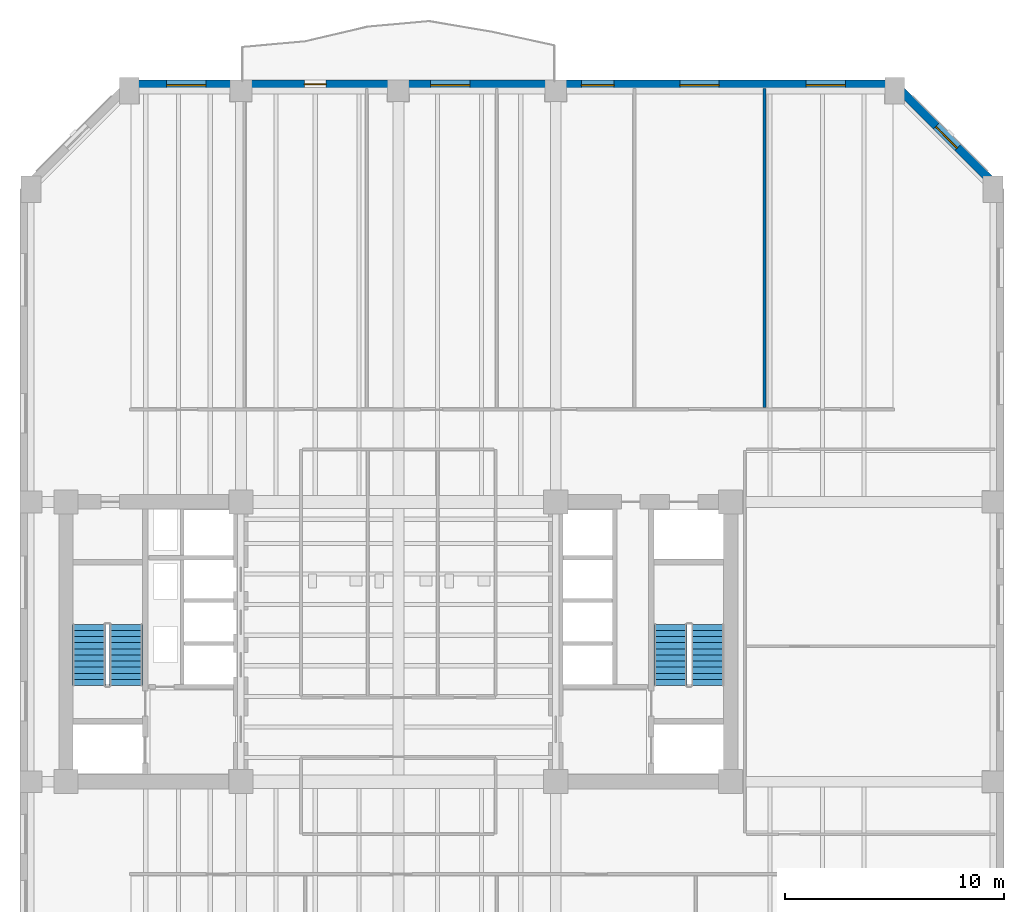
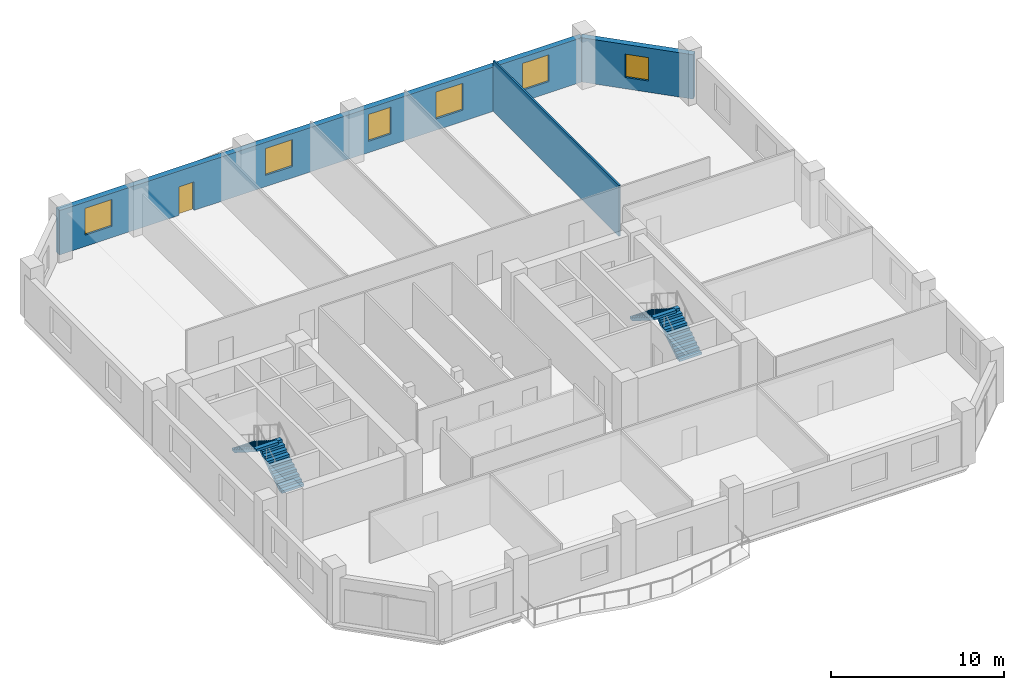
# One storey, part 5 of 9: 6 windows, 4 stair flights, 3 walls, 1 door, 7 openings, 2 elements without a shape of their own.
"""IFC4 building model written with IfcOpenShell, lengths in metres."""

from ifc_helpers import new_model, si_unit, direction, frame, frame_2d, origin, place, context, subcontext, project, spatial, polyline, rectangle, outline, extrude, material, layer, layer_set, type_object, element, fill, aggregate, save


model = new_model("IFC4")

# Units and contexts
model_context = context("Model", 3, precision=1e-05, world=origin(), true_north=direction((0.0, 1.0)))
body_context = subcontext(model_context, "Body", "Model", "MODEL_VIEW")
ifc_project = project(units=[si_unit("LENGTHUNIT", "METRE"), si_unit("AREAUNIT", "SQUARE_METRE"), si_unit("VOLUMEUNIT", "CUBIC_METRE"), si_unit("PLANEANGLEUNIT", "RADIAN"), si_unit("MASSUNIT", "GRAM", prefix="KILO")], contexts=[model_context])

# Site, building, storey
site_placement = place(None, origin())
site = spatial("IfcSite", under=ifc_project, at=site_placement, CompositionType="ELEMENT")
building_placement = place(site_placement, origin())
building = spatial("IfcBuilding", under=site, at=building_placement, Name="Kranthara Brick Stack", CompositionType="ELEMENT")
storey_placement = place(building_placement, frame((0.0, 0.0, 86.699951171875)))
storey = spatial("IfcBuildingStorey", under=building, at=storey_placement, Name="L21", CompositionType="ELEMENT", Elevation=86.699951171875)

# Wall, openings, door, windows
ifc_material_1 = material(Name="Kiln-fired clay brick masonry M15", Category="masonry")
ifc_layer_1 = layer(ifc_material_1, 0.3798828125)
ifc_layer_set_1 = layer_set([ifc_layer_1], Name="Kiln-fired clay brick masonry M15")
wall_type_1 = type_object("IfcWallType", Name="WL-BRK-PIER-380", PredefinedType="STANDARD", material=ifc_layer_set_1)
wall_1_placement = place(storey_placement, frame((15.699951171875, 52.68994140625, 0.0), z_axis=(0.0, 0.0, 1.0), x_axis=(1.0, 0.0, 0.0)))
wall_1 = element("IfcWall", 1, at=wall_1_placement, inside=storey, type_object=wall_type_1, Name="L21 Exterior Brick Facade Wall NORTH 1", PredefinedType="STANDARD", context=body_context, shape_type="SweptSolid", body=[
    extrude(rectangle(XDim=35.0, YDim=0.3798828125, at=frame_2d((17.5, 0.0))), origin(), (0.0, 0.0, 1.0), 3.135009765625),
])
opening_1_placement = place(wall_1_placement, frame((8.0, 0.0, 0.0)))
opening_1 = element("IfcOpeningElement", 2, at=opening_1_placement, cuts=wall_1, Name="Opening D03", PredefinedType="OPENING", context=body_context, shape_type="SweptSolid", body=[
    extrude(rectangle(XDim=1.0, YDim=2.02001953125, at=frame_2d((0.5, 1.010009765625))), frame((0.0, 0.199951171875, 0.0), z_axis=(0.0, -1.0, 0.0), x_axis=(1.0, 0.0, 0.0)), (0.0, 0.0, 1.0), 0.39990234375),
])
opening_2_placement = place(wall_1_placement, frame((1.699951171875, 0.0, 0.800048828125)))
opening_2 = element("IfcOpeningElement", 3, at=opening_2_placement, cuts=wall_1, Name="Opening WN01", PredefinedType="OPENING", context=body_context, shape_type="SweptSolid", body=[
    extrude(rectangle(XDim=1.800048828125, YDim=1.89990234375, at=frame_2d((0.89990234375, 0.949951171875))), frame((0.0, 0.199951171875, 0.0), z_axis=(0.0, -1.0, 0.0), x_axis=(1.0, 0.0, 0.0)), (0.0, 0.0, 1.0), 0.39990234375),
])
opening_3_placement = place(wall_1_placement, frame((13.77490234375, 0.0, 0.800048828125)))
opening_3 = element("IfcOpeningElement", 4, at=opening_3_placement, cuts=wall_1, Name="Opening WN01", PredefinedType="OPENING", context=body_context, shape_type="SweptSolid", body=[
    extrude(rectangle(XDim=1.800048828125, YDim=1.89990234375, at=frame_2d((0.89990234375, 0.949951171875))), frame((0.0, 0.199951171875, 0.0), z_axis=(0.0, -1.0, 0.0), x_axis=(1.0, 0.0, 0.0)), (0.0, 0.0, 1.0), 0.39990234375),
])
opening_4_placement = place(wall_1_placement, frame((20.675048828125, 0.0, 0.800048828125)))
opening_4 = element("IfcOpeningElement", 5, at=opening_4_placement, cuts=wall_1, Name="Opening WN03", PredefinedType="OPENING", context=body_context, shape_type="SweptSolid", body=[
    extrude(rectangle(XDim=1.5, YDim=1.89990234375, at=frame_2d((0.75, 0.949951171875))), frame((0.0, 0.199951171875, 0.0), z_axis=(0.0, -1.0, 0.0), x_axis=(1.0, 0.0, 0.0)), (0.0, 0.0, 1.0), 0.39990234375),
])
opening_5_placement = place(wall_1_placement, frame((25.175048828125, 0.0, 0.800048828125)))
opening_5 = element("IfcOpeningElement", 6, at=opening_5_placement, cuts=wall_1, Name="Opening WN01", PredefinedType="OPENING", context=body_context, shape_type="SweptSolid", body=[
    extrude(rectangle(XDim=1.800048828125, YDim=1.89990234375, at=frame_2d((0.89990234375, 0.949951171875))), frame((0.0, 0.199951171875, 0.0), z_axis=(0.0, -1.0, 0.0), x_axis=(1.0, 0.0, 0.0)), (0.0, 0.0, 1.0), 0.39990234375),
])
opening_6_placement = place(wall_1_placement, frame((30.949951171875, 0.0, 0.800048828125)))
opening_6 = element("IfcOpeningElement", 7, at=opening_6_placement, cuts=wall_1, Name="Opening WN01", PredefinedType="OPENING", context=body_context, shape_type="SweptSolid", body=[
    extrude(rectangle(XDim=1.800048828125, YDim=1.89990234375, at=frame_2d((0.89990234375, 0.949951171875))), frame((0.0, 0.199951171875, 0.0), z_axis=(0.0, -1.0, 0.0), x_axis=(1.0, 0.0, 0.0)), (0.0, 0.0, 1.0), 0.39990234375),
])
ifc_material_2 = material(Name="Bronze anodised aluminium and laminated glass", Category="aluminium")
door_type = type_object("IfcDoorType", Name="DR-BALC-1000", OperationType="NOTDEFINED", PredefinedType="DOOR", material=ifc_material_2)
door_placement = place(opening_1_placement, origin())
door = element("IfcDoor", 8, at=door_placement, inside=storey, type_object=door_type, Name="L21 North Balcony Terrace Door", OperationType="SINGLE_SWING_RIGHT", OverallHeight=2.02001953125, OverallWidth=1.0, PredefinedType="DOOR", context=body_context, shape_type="SweptSolid", body=[
    extrude(rectangle(XDim=1.0, YDim=2.02001953125, at=frame_2d((0.5, 1.010009765625))), frame((0.0, 0.02490234375, 0.0), z_axis=(0.0, -1.0, 0.0), x_axis=(1.0, 0.0, 0.0)), (0.0, 0.0, 1.0), 0.050048828125),
])
fill(opening_1, door)
ifc_material_3 = material(Name="Double-glazed low-E solar control glass", Category="glass")
window_type_1 = type_object("IfcWindowType", Name="WN-OFF-1500x2000", PartitioningType="SINGLE_PANEL", PredefinedType="WINDOW", material=ifc_material_3)
window_1_placement = place(opening_4_placement, origin())
window_1 = element("IfcWindow", 9, at=window_1_placement, inside=storey, type_object=window_type_1, Name="L21 North Deep-Set Brick Window 03", OverallHeight=1.89990234375, OverallWidth=1.5, PartitioningType="SINGLE_PANEL", PredefinedType="WINDOW", context=body_context, shape_type="SweptSolid", body=[
    extrude(rectangle(XDim=1.5, YDim=1.89990234375, at=frame_2d((0.75, 0.949951171875))), frame((0.0, -0.010009765625, 0.0), z_axis=(0.0, -1.0, 0.0), x_axis=(1.0, 0.0, 0.0)), (0.0, 0.0, 1.0), 0.06005859375),
])
fill(opening_4, window_1)
ifc_material_4 = material(Name="Double-glazed low-E solar control glass", Category="glass")
window_type_2 = type_object("IfcWindowType", Name="WN-OFF-1800x2000", PartitioningType="SINGLE_PANEL", PredefinedType="WINDOW", material=ifc_material_4)
window_2_placement = place(opening_2_placement, origin())
window_2 = element("IfcWindow", 10, at=window_2_placement, inside=storey, type_object=window_type_2, Name="L21 North Deep-Set Brick Window 01", OverallHeight=1.89990234375, OverallWidth=1.800048828125, PartitioningType="SINGLE_PANEL", PredefinedType="WINDOW", context=body_context, shape_type="SweptSolid", body=[
    extrude(rectangle(XDim=1.800048828125, YDim=1.89990234375, at=frame_2d((0.89990234375, 0.949951171875))), frame((0.0, -0.010009765625, 0.0), z_axis=(0.0, -1.0, 0.0), x_axis=(1.0, 0.0, 0.0)), (0.0, 0.0, 1.0), 0.06005859375),
])
fill(opening_2, window_2)
window_3_placement = place(opening_3_placement, origin())
window_3 = element("IfcWindow", 11, at=window_3_placement, inside=storey, type_object=window_type_2, Name="L21 North Deep-Set Brick Window 02", OverallHeight=1.89990234375, OverallWidth=1.800048828125, PartitioningType="SINGLE_PANEL", PredefinedType="WINDOW", context=body_context, shape_type="SweptSolid", body=[
    extrude(rectangle(XDim=1.800048828125, YDim=1.89990234375, at=frame_2d((0.89990234375, 0.949951171875))), frame((0.0, -0.010009765625, 0.0), z_axis=(0.0, -1.0, 0.0), x_axis=(1.0, 0.0, 0.0)), (0.0, 0.0, 1.0), 0.06005859375),
])
fill(opening_3, window_3)
window_4_placement = place(opening_5_placement, origin())
window_4 = element("IfcWindow", 12, at=window_4_placement, inside=storey, type_object=window_type_2, Name="L21 North Deep-Set Brick Window 04", OverallHeight=1.89990234375, OverallWidth=1.800048828125, PartitioningType="SINGLE_PANEL", PredefinedType="WINDOW", context=body_context, shape_type="SweptSolid", body=[
    extrude(rectangle(XDim=1.800048828125, YDim=1.89990234375, at=frame_2d((0.89990234375, 0.949951171875))), frame((0.0, -0.010009765625, 0.0), z_axis=(0.0, -1.0, 0.0), x_axis=(1.0, 0.0, 0.0)), (0.0, 0.0, 1.0), 0.06005859375),
])
fill(opening_5, window_4)
window_5_placement = place(opening_6_placement, origin())
window_5 = element("IfcWindow", 13, at=window_5_placement, inside=storey, type_object=window_type_2, Name="L21 North Deep-Set Brick Window 05", OverallHeight=1.89990234375, OverallWidth=1.800048828125, PartitioningType="SINGLE_PANEL", PredefinedType="WINDOW", context=body_context, shape_type="SweptSolid", body=[
    extrude(rectangle(XDim=1.800048828125, YDim=1.89990234375, at=frame_2d((0.89990234375, 0.949951171875))), frame((0.0, -0.010009765625, 0.0), z_axis=(0.0, -1.0, 0.0), x_axis=(1.0, 0.0, 0.0)), (0.0, 0.0, 1.0), 0.06005859375),
])
fill(opening_6, window_5)

# Wall, opening, window
wall_2_placement = place(storey_placement, frame((50.699951171875, 52.68994140625, 0.0), z_axis=(0.0, 0.0, 1.0), x_axis=(0.707106781187, -0.707106781187, 0.0)))
wall_2 = element("IfcWall", 14, at=wall_2_placement, inside=storey, type_object=wall_type_1, Name="L21 Exterior Brick Facade Wall NE 1", PredefinedType="STANDARD", context=body_context, shape_type="SweptSolid", body=[
    extrude(rectangle(XDim=6.774169921875, YDim=0.3798828125, at=frame_2d((3.38720703125, 0.0))), origin(), (0.0, 0.0, 1.0), 3.135009765625),
])
opening_7_placement = place(wall_2_placement, frame((2.68701171875, 0.0, 0.800048828125)))
opening_7 = element("IfcOpeningElement", 15, at=opening_7_placement, cuts=wall_2, Name="Opening WN10", PredefinedType="OPENING", context=body_context, shape_type="SweptSolid", body=[
    extrude(rectangle(XDim=1.39990234375, YDim=1.64990234375, at=frame_2d((0.699951171875, 0.824951171875))), frame((0.0, 0.199951171875, 0.0), z_axis=(0.0, -1.0, 0.0), x_axis=(1.0, 0.0, 0.0)), (0.0, 0.0, 1.0), 0.39990234375),
])
ifc_material_5 = material(Name="Double-glazed low-E solar control glass", Category="glass")
window_type_3 = type_object("IfcWindowType", Name="WN-CHM-1400x1750", PartitioningType="SINGLE_PANEL", PredefinedType="WINDOW", material=ifc_material_5)
window_6_placement = place(opening_7_placement, origin())
window_6 = element("IfcWindow", 16, at=window_6_placement, inside=storey, type_object=window_type_3, Name="L21 NE Chamfer Corner Window", OverallHeight=1.64990234375, OverallWidth=1.39990234375, PartitioningType="SINGLE_PANEL", PredefinedType="WINDOW", context=body_context, shape_type="SweptSolid", body=[
    extrude(rectangle(XDim=1.39990234375, YDim=1.64990234375, at=frame_2d((0.699951171875, 0.824951171875))), frame((0.0, -0.010009765625, 0.0), z_axis=(0.0, -1.0, 0.0), x_axis=(1.0, 0.0, 0.0)), (0.0, 0.0, 1.0), 0.06005859375),
])
fill(opening_7, window_6)

# Wall
ifc_material_6 = material(Name="Acoustic gypsum plasterboard partition", Category="other")
ifc_layer_2 = layer(ifc_material_6, 0.1201171875)
ifc_layer_set_2 = layer_set([ifc_layer_2], Name="Acoustic gypsum plasterboard partition")
wall_type_2 = type_object("IfcWallType", Name="WL-PART-120", PredefinedType="PARTITIONING", material=ifc_layer_set_2)
wall_3_placement = place(storey_placement, frame((44.75, 37.919921875, 0.0), z_axis=(0.0, 0.0, 1.0), x_axis=(0.0, 1.0, 0.0)))
element("IfcWall", 17, at=wall_3_placement, inside=storey, type_object=wall_type_2, Name="L21 Interior Partition 020", PredefinedType="PARTITIONING", context=body_context, shape_type="SweptSolid", body=[
    extrude(rectangle(XDim=14.5751953125, YDim=0.1201171875, at=frame_2d((7.28759765625, 0.0))), origin(), (0.0, 0.0, 1.0), 3.60009765625),
])

# Stair, stair flights
ifc_material_7 = material(Name="Concrete C45/55", Category="concrete")
stair_type = type_object("IfcStairType", Name="ST-CORE-22R", PredefinedType="HALF_TURN_STAIR", material=ifc_material_7)
stair_1_placement = place(storey_placement, origin())
stair_1 = element("IfcStair", 18, at=stair_1_placement, inside=storey, type_object=stair_type, Name="L21 West Core Protected Exit Stair ST01", PredefinedType="HALF_TURN_STAIR")
ifc_material_8 = material(Name="Concrete C45/55", Category="concrete")
stair_flight_type = type_object("IfcStairFlightType", Name="SFL-RC-22R", PredefinedType="STRAIGHT", material=ifc_material_8)
stair_flight_1_placement = place(storey_placement, frame((15.550048828125, 25.199951171875, 0.0), z_axis=(0.0, 0.0, 1.0), x_axis=(0.0, 1.0, 0.0)))
stair_flight_1 = element("IfcStairFlight", 19, at=stair_flight_1_placement, type_object=stair_flight_type, Name="ST01 flight 1", NumberOfRisers=11, NumberOfTreads=10, PredefinedType="STRAIGHT", RiserHeight=0.177272727, TreadLength=0.28, context=body_context, shape_type="SweptSolid", body=[
    extrude(outline(polyline([(0.0, 0.0), (0.0, 0.17724609375), (0.280029296875, 0.17724609375), (0.280029296875, 0.3544921875), (0.56005859375, 0.3544921875), (0.56005859375, 0.53173828125), (0.840087890625, 0.53173828125), (0.840087890625, 0.708984375), (1.1201171875, 0.708984375), (1.1201171875, 0.886474609375), (1.39990234375, 0.886474609375), (1.39990234375, 1.063720703125), (1.679931640625, 1.063720703125), (1.679931640625, 1.240966796875), (1.9599609375, 1.240966796875), (1.9599609375, 1.418212890625), (2.239990234375, 1.418212890625), (2.239990234375, 1.595458984375), (2.52001953125, 1.595458984375), (2.52001953125, 1.772705078125), (2.800048828125, 1.772705078125), (2.800048828125, 1.949951171875), (2.800048828125, 1.59521484375), (0.2802734375, 0.0), (0.0, 0.0)])), frame((0.0, 0.75, 0.0), z_axis=(0.0, -1.0, 0.0), x_axis=(1.0, 0.0, 0.0)), (0.0, 0.0, 1.0), 1.5),
])
stair_flight_2_placement = place(storey_placement, frame((13.85009765625, 28.0, 1.949951171875), z_axis=(0.0, 0.0, 1.0), x_axis=(0.0, -1.0, 0.0)))
stair_flight_2 = element("IfcStairFlight", 20, at=stair_flight_2_placement, type_object=stair_flight_type, Name="ST01 flight 2", NumberOfRisers=11, NumberOfTreads=10, PredefinedType="STRAIGHT", RiserHeight=0.177272727, TreadLength=0.28, context=body_context, shape_type="SweptSolid", body=[
    extrude(outline(polyline([(0.0, 0.0), (0.0, 0.17724609375), (0.280029296875, 0.17724609375), (0.280029296875, 0.3544921875), (0.56005859375, 0.3544921875), (0.56005859375, 0.53173828125), (0.840087890625, 0.53173828125), (0.840087890625, 0.708984375), (1.1201171875, 0.708984375), (1.1201171875, 0.886474609375), (1.39990234375, 0.886474609375), (1.39990234375, 1.063720703125), (1.679931640625, 1.063720703125), (1.679931640625, 1.240966796875), (1.9599609375, 1.240966796875), (1.9599609375, 1.418212890625), (2.239990234375, 1.418212890625), (2.239990234375, 1.595458984375), (2.52001953125, 1.595458984375), (2.52001953125, 1.772705078125), (2.800048828125, 1.772705078125), (2.800048828125, 1.949951171875), (2.800048828125, 1.59521484375), (0.2802734375, 0.0), (0.0, 0.0)])), frame((0.0, 0.75, 0.0), z_axis=(0.0, -1.0, 0.0), x_axis=(1.0, 0.0, 0.0)), (0.0, 0.0, 1.0), 1.5),
])
aggregate(stair_1, [stair_flight_1, stair_flight_2])

stair_2_placement = place(storey_placement, origin())
stair_2 = element("IfcStair", 21, at=stair_2_placement, inside=storey, type_object=stair_type, Name="L21 East Core Protected Exit Stair ST02", PredefinedType="HALF_TURN_STAIR")
stair_flight_3_placement = place(storey_placement, frame((42.14990234375, 25.199951171875, 0.0), z_axis=(0.0, 0.0, 1.0), x_axis=(0.0, 1.0, 0.0)))
stair_flight_3 = element("IfcStairFlight", 22, at=stair_flight_3_placement, type_object=stair_flight_type, Name="ST02 flight 1", NumberOfRisers=11, NumberOfTreads=10, PredefinedType="STRAIGHT", RiserHeight=0.177272727, TreadLength=0.28, context=body_context, shape_type="SweptSolid", body=[
    extrude(outline(polyline([(0.0, 0.0), (0.0, 0.17724609375), (0.280029296875, 0.17724609375), (0.280029296875, 0.3544921875), (0.56005859375, 0.3544921875), (0.56005859375, 0.53173828125), (0.840087890625, 0.53173828125), (0.840087890625, 0.708984375), (1.1201171875, 0.708984375), (1.1201171875, 0.886474609375), (1.39990234375, 0.886474609375), (1.39990234375, 1.063720703125), (1.679931640625, 1.063720703125), (1.679931640625, 1.240966796875), (1.9599609375, 1.240966796875), (1.9599609375, 1.418212890625), (2.239990234375, 1.418212890625), (2.239990234375, 1.595458984375), (2.52001953125, 1.595458984375), (2.52001953125, 1.772705078125), (2.800048828125, 1.772705078125), (2.800048828125, 1.949951171875), (2.800048828125, 1.59521484375), (0.2802734375, 0.0), (0.0, 0.0)])), frame((0.0, 0.75, 0.0), z_axis=(0.0, -1.0, 0.0), x_axis=(1.0, 0.0, 0.0)), (0.0, 0.0, 1.0), 1.5),
])
stair_flight_4_placement = place(storey_placement, frame((40.449951171875, 28.0, 1.949951171875), z_axis=(0.0, 0.0, 1.0), x_axis=(0.0, -1.0, 0.0)))
stair_flight_4 = element("IfcStairFlight", 23, at=stair_flight_4_placement, type_object=stair_flight_type, Name="ST02 flight 2", NumberOfRisers=11, NumberOfTreads=10, PredefinedType="STRAIGHT", RiserHeight=0.177272727, TreadLength=0.28, context=body_context, shape_type="SweptSolid", body=[
    extrude(outline(polyline([(0.0, 0.0), (0.0, 0.17724609375), (0.280029296875, 0.17724609375), (0.280029296875, 0.3544921875), (0.56005859375, 0.3544921875), (0.56005859375, 0.53173828125), (0.840087890625, 0.53173828125), (0.840087890625, 0.708984375), (1.1201171875, 0.708984375), (1.1201171875, 0.886474609375), (1.39990234375, 0.886474609375), (1.39990234375, 1.063720703125), (1.679931640625, 1.063720703125), (1.679931640625, 1.240966796875), (1.9599609375, 1.240966796875), (1.9599609375, 1.418212890625), (2.239990234375, 1.418212890625), (2.239990234375, 1.595458984375), (2.52001953125, 1.595458984375), (2.52001953125, 1.772705078125), (2.800048828125, 1.772705078125), (2.800048828125, 1.949951171875), (2.800048828125, 1.59521484375), (0.2802734375, 0.0), (0.0, 0.0)])), frame((0.0, 0.75, 0.0), z_axis=(0.0, -1.0, 0.0), x_axis=(1.0, 0.0, 0.0)), (0.0, 0.0, 1.0), 1.5),
])
aggregate(stair_2, [stair_flight_3, stair_flight_4])

save(model, "model.ifc")
